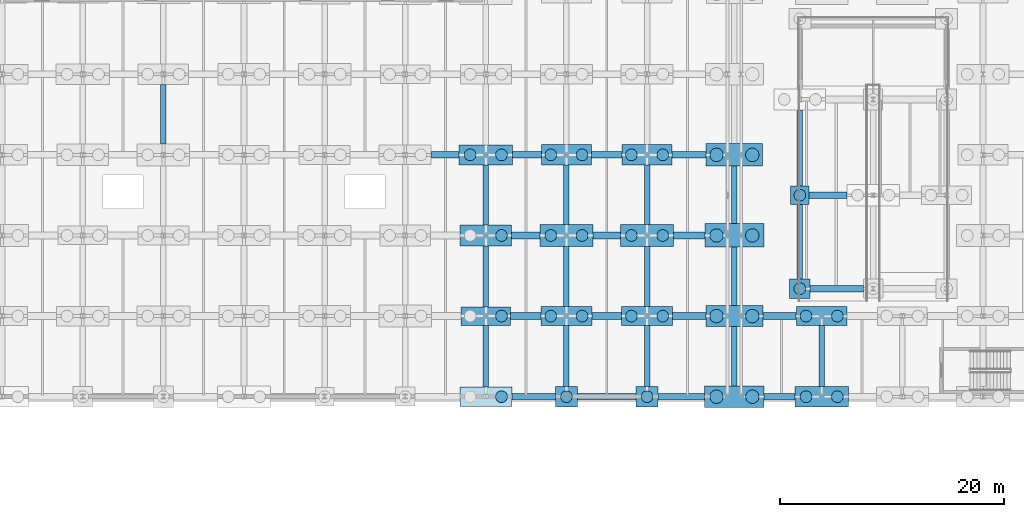
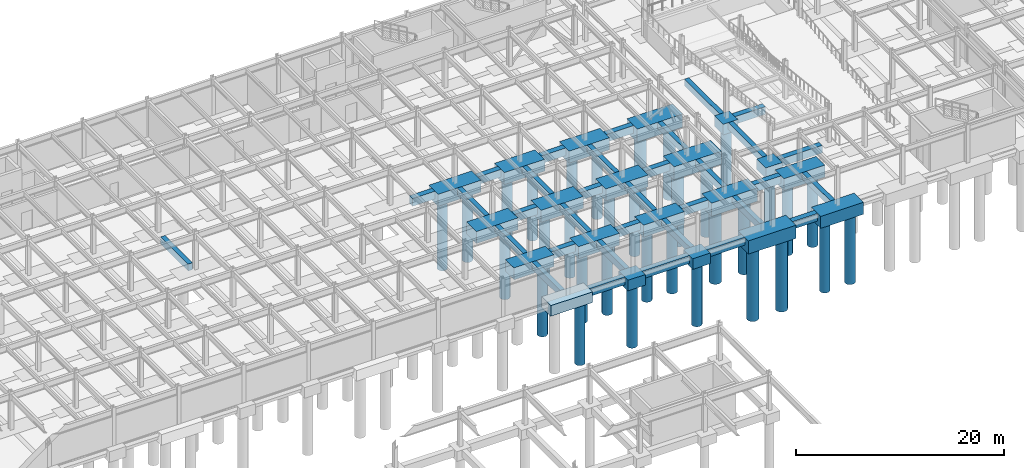
# One storey, part 6 of 54: 53 footings, 33 piles.
"""IFC4 building model written with IfcOpenShell, lengths in metres."""

from ifc_helpers import new_model, si_unit, direction, frame, origin, origin_2d, place, context, subcontext, project, spatial, polyline, rectangle, circle, outline, extrude, material, material_profile, profile_set, type_object, element, save


model = new_model("IFC4")

# Units and contexts
model_context = context("Model", 3, precision=1e-05, world=origin(), true_north=direction((0.0, 1.0)))
body_context = subcontext(model_context, "Body", "Model", "MODEL_VIEW")
ifc_project = project(units=[si_unit("LENGTHUNIT", "METRE"), si_unit("AREAUNIT", "SQUARE_METRE"), si_unit("VOLUMEUNIT", "CUBIC_METRE"), si_unit("PLANEANGLEUNIT", "RADIAN"), si_unit("MASSUNIT", "GRAM", prefix="KILO")], contexts=[model_context])

# Site, building, storey
site_placement = place(None, origin())
site = spatial("IfcSite", under=ifc_project, at=site_placement, CompositionType="ELEMENT")
building_placement = place(site_placement, origin())
building = spatial("IfcBuilding", under=site, at=building_placement, Name="Vaelcorin Mobility Hub", CompositionType="ELEMENT")
storey_placement = place(building_placement, frame((0.0, 0.0, -4.5)))
storey = spatial("IfcBuildingStorey", under=building, at=storey_placement, Name="B1", CompositionType="ELEMENT", Elevation=-4.5)

# Footings
ifc_material = material(Name="Concrete f'c 40 MPa", Category="concrete")
footing_type_1 = type_object("IfcFootingType", Name="FB-500X800", PredefinedType="FOOTING_BEAM", material=ifc_material)
footing_1_placement = place(storey_placement, frame((0.0, 0.0, -0.800048828125)))
element("IfcFooting", 1, at=footing_1_placement, inside=storey, type_object=footing_type_1, Name="Foundation Tie Beam FB-Y-312", PredefinedType="FOOTING_BEAM", context=body_context, shape_type="SweptSolid", body=[
    extrude(outline(polyline([(71.75, 99.375), (72.25, 99.375), (72.25, 104.675048828125), (71.75, 104.675048828125), (71.75, 99.375)])), origin(), (0.0, 0.0, 1.0), 0.800048828125),
])
footing_2_placement = place(storey_placement, frame((0.0, 0.0, -0.800048828125)))
element("IfcFooting", 2, at=footing_2_placement, inside=storey, type_object=footing_type_1, Name="Foundation Tie Beam FB-Y-337", PredefinedType="FOOTING_BEAM", context=body_context, shape_type="SweptSolid", body=[
    extrude(outline(polyline([(100.550048828125, 77.675048828125), (101.050048828125, 77.675048828125), (101.050048828125, 83.175048828125), (100.550048828125, 83.175048828125), (100.550048828125, 77.675048828125)])), origin(), (0.0, 0.0, 1.0), 0.800048828125),
])
footing_3_placement = place(storey_placement, frame((0.0, 0.0, -0.800048828125)))
element("IfcFooting", 3, at=footing_3_placement, inside=storey, type_object=footing_type_1, Name="Foundation Tie Beam FB-Y-338", PredefinedType="FOOTING_BEAM", context=body_context, shape_type="SweptSolid", body=[
    extrude(outline(polyline([(100.550048828125, 84.824951171875), (101.050048828125, 84.824951171875), (101.050048828125, 90.25), (100.550048828125, 90.25), (100.550048828125, 84.824951171875)])), origin(), (0.0, 0.0, 1.0), 0.800048828125),
])
footing_4_placement = place(storey_placement, frame((0.0, 0.0, -0.800048828125)))
element("IfcFooting", 4, at=footing_4_placement, inside=storey, type_object=footing_type_1, Name="Foundation Tie Beam FB-Y-339", PredefinedType="FOOTING_BEAM", context=body_context, shape_type="SweptSolid", body=[
    extrude(outline(polyline([(100.550048828125, 92.14990234375), (101.050048828125, 92.14990234375), (101.050048828125, 97.5), (100.550048828125, 97.5), (100.550048828125, 92.14990234375)])), origin(), (0.0, 0.0, 1.0), 0.800048828125),
])
footing_5_placement = place(storey_placement, frame((0.0, 0.0, -0.800048828125)))
element("IfcFooting", 5, at=footing_5_placement, inside=storey, type_object=footing_type_1, Name="Foundation Tie Beam FB-Y-344", PredefinedType="FOOTING_BEAM", context=body_context, shape_type="SweptSolid", body=[
    extrude(outline(polyline([(107.75, 77.699951171875), (108.25, 77.699951171875), (108.25, 83.14990234375), (107.75, 83.14990234375), (107.75, 77.699951171875)])), origin(), (0.0, 0.0, 1.0), 0.800048828125),
])
footing_6_placement = place(storey_placement, frame((0.0, 0.0, -0.800048828125)))
element("IfcFooting", 6, at=footing_6_placement, inside=storey, type_object=footing_type_1, Name="Foundation Tie Beam FB-Y-345", PredefinedType="FOOTING_BEAM", context=body_context, shape_type="SweptSolid", body=[
    extrude(outline(polyline([(107.75, 84.85009765625), (108.25, 84.85009765625), (108.25, 90.22509765625), (107.75, 90.22509765625), (107.75, 84.85009765625)])), origin(), (0.0, 0.0, 1.0), 0.800048828125),
])
footing_7_placement = place(storey_placement, frame((0.0, 0.0, -0.800048828125)))
element("IfcFooting", 7, at=footing_7_placement, inside=storey, type_object=footing_type_1, Name="Foundation Tie Beam FB-Y-346", PredefinedType="FOOTING_BEAM", context=body_context, shape_type="SweptSolid", body=[
    extrude(outline(polyline([(107.75, 92.175048828125), (108.25, 92.175048828125), (108.25, 97.47509765625), (107.75, 97.47509765625), (107.75, 92.175048828125)])), origin(), (0.0, 0.0, 1.0), 0.800048828125),
])
footing_8_placement = place(storey_placement, frame((0.0, 0.0, -0.800048828125)))
element("IfcFooting", 8, at=footing_8_placement, inside=storey, type_object=footing_type_1, Name="Foundation Tie Beam FB-Y-350", PredefinedType="FOOTING_BEAM", context=body_context, shape_type="SweptSolid", body=[
    extrude(outline(polyline([(114.949951171875, 77.699951171875), (115.449951171875, 77.699951171875), (115.449951171875, 83.14990234375), (114.949951171875, 83.14990234375), (114.949951171875, 77.699951171875)])), origin(), (0.0, 0.0, 1.0), 0.800048828125),
])
footing_9_placement = place(storey_placement, frame((0.0, 0.0, -0.800048828125)))
element("IfcFooting", 9, at=footing_9_placement, inside=storey, type_object=footing_type_1, Name="Foundation Tie Beam FB-Y-351", PredefinedType="FOOTING_BEAM", context=body_context, shape_type="SweptSolid", body=[
    extrude(outline(polyline([(114.949951171875, 84.85009765625), (115.449951171875, 84.85009765625), (115.449951171875, 90.22509765625), (114.949951171875, 90.22509765625), (114.949951171875, 84.85009765625)])), origin(), (0.0, 0.0, 1.0), 0.800048828125),
])
footing_10_placement = place(storey_placement, frame((0.0, 0.0, -0.800048828125)))
element("IfcFooting", 10, at=footing_10_placement, inside=storey, type_object=footing_type_1, Name="Foundation Tie Beam FB-Y-352", PredefinedType="FOOTING_BEAM", context=body_context, shape_type="SweptSolid", body=[
    extrude(outline(polyline([(114.949951171875, 92.175048828125), (115.449951171875, 92.175048828125), (115.449951171875, 97.47509765625), (114.949951171875, 97.47509765625), (114.949951171875, 92.175048828125)])), origin(), (0.0, 0.0, 1.0), 0.800048828125),
])
footing_11_placement = place(storey_placement, frame((0.0, 0.0, -0.800048828125)))
element("IfcFooting", 11, at=footing_11_placement, inside=storey, type_object=footing_type_1, Name="Foundation Tie Beam FB-Y-356", PredefinedType="FOOTING_BEAM", context=body_context, shape_type="SweptSolid", body=[
    extrude(outline(polyline([(122.75, 77.77490234375), (123.25, 77.77490234375), (123.25, 83.074951171875), (122.75, 83.074951171875), (122.75, 77.77490234375)])), origin(), (0.0, 0.0, 1.0), 0.800048828125),
])
footing_12_placement = place(storey_placement, frame((0.0, 0.0, -0.800048828125)))
element("IfcFooting", 12, at=footing_12_placement, inside=storey, type_object=footing_type_1, Name="Foundation Tie Beam FB-Y-357", PredefinedType="FOOTING_BEAM", context=body_context, shape_type="SweptSolid", body=[
    extrude(outline(polyline([(122.75, 84.925048828125), (123.25, 84.925048828125), (123.25, 90.14990234375), (122.75, 90.14990234375), (122.75, 84.925048828125)])), origin(), (0.0, 0.0, 1.0), 0.800048828125),
])
footing_13_placement = place(storey_placement, frame((0.0, 0.0, -0.800048828125)))
element("IfcFooting", 13, at=footing_13_placement, inside=storey, type_object=footing_type_1, Name="Foundation Tie Beam FB-Y-358", PredefinedType="FOOTING_BEAM", context=body_context, shape_type="SweptSolid", body=[
    extrude(outline(polyline([(122.75, 92.25), (123.25, 92.25), (123.25, 97.39990234375), (122.75, 97.39990234375), (122.75, 92.25)])), origin(), (0.0, 0.0, 1.0), 0.800048828125),
])
footing_14_placement = place(storey_placement, frame((0.0, 0.0, -0.800048828125)))
element("IfcFooting", 14, at=footing_14_placement, inside=storey, type_object=footing_type_1, Name="Foundation Tie Beam FB-Y-362", PredefinedType="FOOTING_BEAM", context=body_context, shape_type="SweptSolid", body=[
    extrude(outline(polyline([(130.550048828125, 77.699951171875), (131.050048828125, 77.699951171875), (131.050048828125, 83.14990234375), (130.550048828125, 83.14990234375), (130.550048828125, 77.699951171875)])), origin(), (0.0, 0.0, 1.0), 0.800048828125),
])
footing_15_placement = place(storey_placement, frame((0.0, 0.0, -0.800048828125)))
element("IfcFooting", 15, at=footing_15_placement, inside=storey, type_object=footing_type_1, Name="Foundation Tie Beam FB-Y-481", PredefinedType="FOOTING_BEAM", context=body_context, shape_type="SweptSolid", body=[
    extrude(outline(polyline([(128.60009765625, 87.324951171875), (129.10009765625, 87.324951171875), (129.10009765625, 93.97509765625), (128.60009765625, 93.97509765625), (128.60009765625, 87.324951171875)])), origin(), (0.0, 0.0, 1.0), 0.800048828125),
])
footing_16_placement = place(storey_placement, frame((0.0, 0.0, -0.800048828125)))
element("IfcFooting", 16, at=footing_16_placement, inside=storey, type_object=footing_type_1, Name="Foundation Tie Beam FB-Y-482", PredefinedType="FOOTING_BEAM", context=body_context, shape_type="SweptSolid", body=[
    extrude(outline(polyline([(128.60009765625, 95.625), (129.10009765625, 95.625), (129.10009765625, 102.39990234375), (128.60009765625, 102.39990234375), (128.60009765625, 95.625)])), origin(), (0.0, 0.0, 1.0), 0.800048828125),
])
footing_type_2 = type_object("IfcFootingType", Name="FB-600X900", PredefinedType="FOOTING_BEAM", material=ifc_material)
footing_17_placement = place(storey_placement, frame((0.0, 0.0, -0.89990234375)))
element("IfcFooting", 17, at=footing_17_placement, inside=storey, type_object=footing_type_2, Name="Foundation Tie Beam FB-X-014", PredefinedType="FOOTING_BEAM", context=body_context, shape_type="SweptSolid", body=[
    extrude(outline(polyline([(103.125, 76.5), (107.02490234375, 76.5), (107.02490234375, 77.10009765625), (103.125, 77.10009765625), (103.125, 76.5)])), origin(), (0.0, 0.0, 1.0), 0.89990234375),
])
footing_18_placement = place(storey_placement, frame((0.0, 0.0, -0.89990234375)))
element("IfcFooting", 18, at=footing_18_placement, inside=storey, type_object=footing_type_2, Name="Foundation Tie Beam FB-X-015", PredefinedType="FOOTING_BEAM", context=body_context, shape_type="SweptSolid", body=[
    extrude(outline(polyline([(108.97509765625, 76.5), (114.22509765625, 76.5), (114.22509765625, 77.10009765625), (108.97509765625, 77.10009765625), (108.97509765625, 76.5)])), origin(), (0.0, 0.0, 1.0), 0.89990234375),
])
footing_19_placement = place(storey_placement, frame((0.0, 0.0, -0.89990234375)))
element("IfcFooting", 19, at=footing_19_placement, inside=storey, type_object=footing_type_2, Name="Foundation Tie Beam FB-X-016", PredefinedType="FOOTING_BEAM", context=body_context, shape_type="SweptSolid", body=[
    extrude(outline(polyline([(116.175048828125, 76.5), (120.35009765625, 76.5), (120.35009765625, 77.10009765625), (116.175048828125, 77.10009765625), (116.175048828125, 76.5)])), origin(), (0.0, 0.0, 1.0), 0.89990234375),
])
footing_20_placement = place(storey_placement, frame((0.0, 0.0, -0.89990234375)))
element("IfcFooting", 20, at=footing_20_placement, inside=storey, type_object=footing_type_2, Name="Foundation Tie Beam FB-X-017", PredefinedType="FOOTING_BEAM", context=body_context, shape_type="SweptSolid", body=[
    extrude(outline(polyline([(125.64990234375, 76.5), (128.425048828125, 76.5), (128.425048828125, 77.10009765625), (125.64990234375, 77.10009765625), (125.64990234375, 76.5)])), origin(), (0.0, 0.0, 1.0), 0.89990234375),
])
footing_21_placement = place(storey_placement, frame((0.0, 0.0, -0.89990234375)))
element("IfcFooting", 21, at=footing_21_placement, inside=storey, type_object=footing_type_2, Name="Foundation Tie Beam FB-X-041", PredefinedType="FOOTING_BEAM", context=body_context, shape_type="SweptSolid", body=[
    extrude(outline(polyline([(103.02490234375, 83.699951171875), (105.72509765625, 83.699951171875), (105.72509765625, 84.300048828125), (103.02490234375, 84.300048828125), (103.02490234375, 83.699951171875)])), origin(), (0.0, 0.0, 1.0), 0.89990234375),
])
footing_22_placement = place(storey_placement, frame((0.0, 0.0, -0.89990234375)))
element("IfcFooting", 22, at=footing_22_placement, inside=storey, type_object=footing_type_2, Name="Foundation Tie Beam FB-X-042", PredefinedType="FOOTING_BEAM", context=body_context, shape_type="SweptSolid", body=[
    extrude(outline(polyline([(110.27490234375, 83.699951171875), (112.925048828125, 83.699951171875), (112.925048828125, 84.300048828125), (110.27490234375, 84.300048828125), (110.27490234375, 83.699951171875)])), origin(), (0.0, 0.0, 1.0), 0.89990234375),
])
footing_23_placement = place(storey_placement, frame((0.0, 0.0, -0.89990234375)))
element("IfcFooting", 23, at=footing_23_placement, inside=storey, type_object=footing_type_2, Name="Foundation Tie Beam FB-X-043", PredefinedType="FOOTING_BEAM", context=body_context, shape_type="SweptSolid", body=[
    extrude(outline(polyline([(117.47509765625, 83.699951171875), (120.449951171875, 83.699951171875), (120.449951171875, 84.300048828125), (117.47509765625, 84.300048828125), (117.47509765625, 83.699951171875)])), origin(), (0.0, 0.0, 1.0), 0.89990234375),
])
footing_24_placement = place(storey_placement, frame((0.0, 0.0, -0.89990234375)))
element("IfcFooting", 24, at=footing_24_placement, inside=storey, type_object=footing_type_2, Name="Foundation Tie Beam FB-X-044", PredefinedType="FOOTING_BEAM", context=body_context, shape_type="SweptSolid", body=[
    extrude(outline(polyline([(125.550048828125, 83.699951171875), (128.52490234375, 83.699951171875), (128.52490234375, 84.300048828125), (125.550048828125, 84.300048828125), (125.550048828125, 83.699951171875)])), origin(), (0.0, 0.0, 1.0), 0.89990234375),
])
footing_25_placement = place(storey_placement, frame((0.0, 0.0, -0.89990234375)))
element("IfcFooting", 25, at=footing_25_placement, inside=storey, type_object=footing_type_2, Name="Foundation Tie Beam FB-X-065", PredefinedType="FOOTING_BEAM", context=body_context, shape_type="SweptSolid", body=[
    extrude(outline(polyline([(103.10009765625, 90.89990234375), (105.64990234375, 90.89990234375), (105.64990234375, 91.5), (103.10009765625, 91.5), (103.10009765625, 90.89990234375)])), origin(), (0.0, 0.0, 1.0), 0.89990234375),
])
footing_26_placement = place(storey_placement, frame((0.0, 0.0, -0.89990234375)))
element("IfcFooting", 26, at=footing_26_placement, inside=storey, type_object=footing_type_2, Name="Foundation Tie Beam FB-X-066", PredefinedType="FOOTING_BEAM", context=body_context, shape_type="SweptSolid", body=[
    extrude(outline(polyline([(110.35009765625, 90.89990234375), (112.85009765625, 90.89990234375), (112.85009765625, 91.5), (110.35009765625, 91.5), (110.35009765625, 90.89990234375)])), origin(), (0.0, 0.0, 1.0), 0.89990234375),
])
footing_27_placement = place(storey_placement, frame((0.0, 0.0, -0.89990234375)))
element("IfcFooting", 27, at=footing_27_placement, inside=storey, type_object=footing_type_2, Name="Foundation Tie Beam FB-X-067", PredefinedType="FOOTING_BEAM", context=body_context, shape_type="SweptSolid", body=[
    extrude(outline(polyline([(117.550048828125, 90.89990234375), (120.375, 90.89990234375), (120.375, 91.5), (117.550048828125, 91.5), (117.550048828125, 90.89990234375)])), origin(), (0.0, 0.0, 1.0), 0.89990234375),
])
footing_28_placement = place(storey_placement, frame((0.0, 0.0, -0.89990234375)))
element("IfcFooting", 28, at=footing_28_placement, inside=storey, type_object=footing_type_2, Name="Foundation Tie Beam FB-X-085", PredefinedType="FOOTING_BEAM", context=body_context, shape_type="SweptSolid", body=[
    extrude(outline(polyline([(95.925048828125, 98.10009765625), (98.425048828125, 98.10009765625), (98.425048828125, 98.699951171875), (95.925048828125, 98.699951171875), (95.925048828125, 98.10009765625)])), origin(), (0.0, 0.0, 1.0), 0.89990234375),
])
footing_29_placement = place(storey_placement, frame((0.0, 0.0, -0.89990234375)))
element("IfcFooting", 29, at=footing_29_placement, inside=storey, type_object=footing_type_2, Name="Foundation Tie Beam FB-X-086", PredefinedType="FOOTING_BEAM", context=body_context, shape_type="SweptSolid", body=[
    extrude(outline(polyline([(103.175048828125, 98.10009765625), (105.75, 98.10009765625), (105.75, 98.699951171875), (103.175048828125, 98.699951171875), (103.175048828125, 98.10009765625)])), origin(), (0.0, 0.0, 1.0), 0.89990234375),
])
footing_30_placement = place(storey_placement, frame((0.0, 0.0, -0.89990234375)))
element("IfcFooting", 30, at=footing_30_placement, inside=storey, type_object=footing_type_2, Name="Foundation Tie Beam FB-X-087", PredefinedType="FOOTING_BEAM", context=body_context, shape_type="SweptSolid", body=[
    extrude(outline(polyline([(110.25, 98.10009765625), (112.949951171875, 98.10009765625), (112.949951171875, 98.699951171875), (110.25, 98.699951171875), (110.25, 98.10009765625)])), origin(), (0.0, 0.0, 1.0), 0.89990234375),
])
footing_31_placement = place(storey_placement, frame((0.0, 0.0, -0.89990234375)))
element("IfcFooting", 31, at=footing_31_placement, inside=storey, type_object=footing_type_2, Name="Foundation Tie Beam FB-X-088", PredefinedType="FOOTING_BEAM", context=body_context, shape_type="SweptSolid", body=[
    extrude(outline(polyline([(117.449951171875, 98.10009765625), (120.47509765625, 98.10009765625), (120.47509765625, 98.699951171875), (117.449951171875, 98.699951171875), (117.449951171875, 98.10009765625)])), origin(), (0.0, 0.0, 1.0), 0.89990234375),
])
footing_32_placement = place(storey_placement, frame((0.0, 0.0, -0.89990234375)))
element("IfcFooting", 32, at=footing_32_placement, inside=storey, type_object=footing_type_2, Name="Foundation Tie Beam FB-X-252", PredefinedType="FOOTING_BEAM", context=body_context, shape_type="SweptSolid", body=[
    extrude(outline(polyline([(129.77490234375, 86.14990234375), (134.52490234375, 86.14990234375), (134.52490234375, 86.75), (129.77490234375, 86.75), (129.77490234375, 86.14990234375)])), origin(), (0.0, 0.0, 1.0), 0.89990234375),
])
footing_33_placement = place(storey_placement, frame((0.0, 0.0, -0.89990234375)))
element("IfcFooting", 33, at=footing_33_placement, inside=storey, type_object=footing_type_2, Name="Foundation Tie Beam FB-X-256", PredefinedType="FOOTING_BEAM", context=body_context, shape_type="SweptSolid", body=[
    extrude(outline(polyline([(129.675048828125, 94.5), (133.050048828125, 94.5), (133.050048828125, 95.10009765625), (129.675048828125, 95.10009765625), (129.675048828125, 94.5)])), origin(), (0.0, 0.0, 1.0), 0.89990234375),
])
footing_type_3 = type_object("IfcFootingType", Name="FTG-PC-01", PredefinedType="PILE_CAP", material=ifc_material)
footing_34_placement = place(storey_placement, frame((100.800048828125, 91.199951171875, -1.39990234375), z_axis=(0.0, 0.0, 1.0), x_axis=(1.0, 0.0, 0.0)))
element("IfcFooting", 34, at=footing_34_placement, inside=storey, type_object=footing_type_3, Name="Pile Cap PC-01 113", PredefinedType="PILE_CAP", context=body_context, shape_type="SweptSolid", body=[
    extrude(rectangle(XDim=4.60009765625, YDim=1.89990234375, at=origin_2d()), origin(), (0.0, 0.0, 1.0), 1.39990234375),
])
footing_type_4 = type_object("IfcFootingType", Name="FTG-PC-02", PredefinedType="PILE_CAP", material=ifc_material)
for number, where, z_axis, x_axis, name in (
    (35, (100.800048828125, 98.39990234375, -1.39990234375), (0.0, 0.0, 1.0), (1.0, 0.0, 0.0), "Pile Cap PC-02 114"),
    (36, (130.800048828125, 76.800048828125, -1.39990234375), (0.0, 0.0, 1.0), (1.0, 0.0, 0.0), "Pile Cap PC-02 142"),
):
    element("IfcFooting", number, at=place(storey_placement, frame(where, z_axis=z_axis, x_axis=x_axis)), inside=storey, type_object=footing_type_4, Name=name, PredefinedType="PILE_CAP", context=body_context, shape_type="SweptSolid", body=[
        extrude(rectangle(XDim=4.75, YDim=1.800048828125, at=origin_2d()), origin(), (0.0, 0.0, 1.0), 1.39990234375),
    ])
footing_type_5 = type_object("IfcFootingType", Name="FTG-PC-03", PredefinedType="PILE_CAP", material=ifc_material)
for number, where, z_axis, x_axis, name in (
    (37, (108.0, 84.0, -1.39990234375), (0.0, 0.0, 1.0), (1.0, 0.0, 0.0), "Pile Cap PC-03 122"),
    (38, (115.199951171875, 84.0, -1.39990234375), (0.0, 0.0, 1.0), (1.0, 0.0, 0.0), "Pile Cap PC-03 129"),
    (39, (130.800048828125, 84.0, -1.39990234375), (0.0, 0.0, 1.0), (1.0, 0.0, 0.0), "Pile Cap PC-03 143"),
):
    element("IfcFooting", number, at=place(storey_placement, frame(where, z_axis=z_axis, x_axis=x_axis)), inside=storey, type_object=footing_type_5, Name=name, PredefinedType="PILE_CAP", context=body_context, shape_type="SweptSolid", body=[
        extrude(rectangle(XDim=4.550048828125, YDim=1.699951171875, at=origin_2d()), origin(), (0.0, 0.0, 1.0), 1.39990234375),
    ])
footing_type_6 = type_object("IfcFootingType", Name="FTG-PC-04", PredefinedType="PILE_CAP", material=ifc_material)
for number, where, z_axis, x_axis, name in (
    (40, (108.0, 91.199951171875, -1.39990234375), (0.0, 0.0, 1.0), (1.0, 0.0, 0.0), "Pile Cap PC-04 123"),
    (41, (115.199951171875, 91.199951171875, -1.39990234375), (0.0, 0.0, 1.0), (1.0, 0.0, 0.0), "Pile Cap PC-04 130"),
):
    element("IfcFooting", number, at=place(storey_placement, frame(where, z_axis=z_axis, x_axis=x_axis)), inside=storey, type_object=footing_type_6, Name=name, PredefinedType="PILE_CAP", context=body_context, shape_type="SweptSolid", body=[
        extrude(rectangle(XDim=4.699951171875, YDim=1.949951171875, at=origin_2d()), origin(), (0.0, 0.0, 1.0), 1.39990234375),
    ])
footing_type_7 = type_object("IfcFootingType", Name="FTG-PC-05", PredefinedType="PILE_CAP", material=ifc_material)
for number, where, z_axis, x_axis, name in (
    (42, (108.0, 98.39990234375, -1.39990234375), (0.0, 0.0, 1.0), (1.0, 0.0, 0.0), "Pile Cap PC-05 124"),
    (43, (115.199951171875, 98.39990234375, -1.39990234375), (0.0, 0.0, 1.0), (1.0, 0.0, 0.0), "Pile Cap PC-05 131"),
):
    element("IfcFooting", number, at=place(storey_placement, frame(where, z_axis=z_axis, x_axis=x_axis)), inside=storey, type_object=footing_type_7, Name=name, PredefinedType="PILE_CAP", context=body_context, shape_type="SweptSolid", body=[
        extrude(rectangle(XDim=4.5, YDim=1.85009765625, at=origin_2d()), origin(), (0.0, 0.0, 1.0), 1.39990234375),
    ])
footing_type_8 = type_object("IfcFootingType", Name="FTG-PC-07", PredefinedType="PILE_CAP", material=ifc_material)
footing_35_placement = place(storey_placement, frame((100.800048828125, 84.0, -1.39990234375), z_axis=(0.0, 0.0, 1.0), x_axis=(1.0, 0.0, 0.0)))
element("IfcFooting", 44, at=footing_35_placement, inside=storey, type_object=footing_type_8, Name="Pile Cap PC-07 112", PredefinedType="PILE_CAP", context=body_context, shape_type="SweptSolid", body=[
    extrude(rectangle(XDim=4.449951171875, YDim=1.64990234375, at=origin_2d()), origin(), (0.0, 0.0, 1.0), 1.39990234375),
])
footing_type_9 = type_object("IfcFootingType", Name="FTG-PC-23", PredefinedType="PILE_CAP", material=ifc_material)
footing_36_placement = place(storey_placement, frame((128.85009765625, 86.449951171875, -1.25), z_axis=(0.0, 0.0, 1.0), x_axis=(1.0, 0.0, 0.0)))
element("IfcFooting", 45, at=footing_36_placement, inside=storey, type_object=footing_type_9, Name="Pile Cap PC-23 286", PredefinedType="PILE_CAP", context=body_context, shape_type="SweptSolid", body=[
    extrude(rectangle(XDim=1.85009765625, YDim=1.75, at=origin_2d()), origin(), (0.0, 0.0, 1.0), 1.25),
])
footing_type_10 = type_object("IfcFootingType", Name="FTG-PC-28", PredefinedType="PILE_CAP", material=ifc_material)
footing_37_placement = place(storey_placement, frame((128.85009765625, 94.800048828125, -1.25), z_axis=(0.0, 0.0, 1.0), x_axis=(1.0, 0.0, 0.0)))
element("IfcFooting", 46, at=footing_37_placement, inside=storey, type_object=footing_type_10, Name="Pile Cap PC-28 287", PredefinedType="PILE_CAP", context=body_context, shape_type="SweptSolid", body=[
    extrude(rectangle(XDim=1.64990234375, YDim=1.64990234375, at=origin_2d()), origin(), (0.0, 0.0, 1.0), 1.25),
])
footing_type_11 = type_object("IfcFootingType", Name="FTG-PC-29", PredefinedType="PILE_CAP", material=ifc_material)
footing_38_placement = place(storey_placement, frame((100.800048828125, 76.800048828125, -1.25), z_axis=(0.0, 0.0, 1.0), x_axis=(1.0, 0.0, 0.0)))
element("IfcFooting", 47, at=footing_38_placement, inside=storey, type_object=footing_type_11, Name="Pile Cap PC-29 111", PredefinedType="PILE_CAP", context=body_context, shape_type="SweptSolid", body=[
    extrude(rectangle(XDim=4.64990234375, YDim=1.75, at=origin_2d()), origin(), (0.0, 0.0, 1.0), 1.25),
])
footing_type_12 = type_object("IfcFootingType", Name="FTG-PC-30", PredefinedType="PILE_CAP", material=ifc_material)
for number, where, z_axis, x_axis, name in (
    (48, (108.0, 76.800048828125, -1.25), (0.0, 0.0, 1.0), (1.0, 0.0, 0.0), "Pile Cap PC-30 121"),
    (49, (115.199951171875, 76.800048828125, -1.25), (0.0, 0.0, 1.0), (1.0, 0.0, 0.0), "Pile Cap PC-30 128"),
):
    element("IfcFooting", number, at=place(storey_placement, frame(where, z_axis=z_axis, x_axis=x_axis)), inside=storey, type_object=footing_type_12, Name=name, PredefinedType="PILE_CAP", context=body_context, shape_type="SweptSolid", body=[
        extrude(rectangle(XDim=1.949951171875, YDim=1.800048828125, at=origin_2d()), origin(), (0.0, 0.0, 1.0), 1.25),
    ])
footing_type_13 = type_object("IfcFootingType", Name="FTG-PC-COMB08", PredefinedType="PILE_CAP", material=ifc_material)
footing_39_placement = place(storey_placement, frame((123.0, 91.199951171875, -1.5498046875), z_axis=(0.0, 0.0, 1.0), x_axis=(1.0, 0.0, 0.0)))
element("IfcFooting", 50, at=footing_39_placement, inside=storey, type_object=footing_type_13, Name="Pile Cap PC-COMB08 137", PredefinedType="PILE_CAP", context=body_context, shape_type="SweptSolid", body=[
    extrude(rectangle(XDim=5.25, YDim=2.10009765625, at=origin_2d()), origin(), (0.0, 0.0, 1.0), 1.550048828125),
])
footing_type_14 = type_object("IfcFootingType", Name="FTG-PC-COMB09", PredefinedType="PILE_CAP", material=ifc_material)
footing_40_placement = place(storey_placement, frame((123.0, 98.39990234375, -1.5498046875), z_axis=(0.0, 0.0, 1.0), x_axis=(1.0, 0.0, 0.0)))
element("IfcFooting", 51, at=footing_40_placement, inside=storey, type_object=footing_type_14, Name="Pile Cap PC-COMB09 138", PredefinedType="PILE_CAP", context=body_context, shape_type="SweptSolid", body=[
    extrude(rectangle(XDim=5.050048828125, YDim=2.0, at=origin_2d()), origin(), (0.0, 0.0, 1.0), 1.550048828125),
])
footing_type_15 = type_object("IfcFootingType", Name="FTG-PC-COMB13", PredefinedType="PILE_CAP", material=ifc_material)
footing_41_placement = place(storey_placement, frame((123.0, 76.800048828125, -1.5498046875), z_axis=(0.0, 0.0, 1.0), x_axis=(1.0, 0.0, 0.0)))
element("IfcFooting", 52, at=footing_41_placement, inside=storey, type_object=footing_type_15, Name="Pile Cap PC-COMB13 135", PredefinedType="PILE_CAP", context=body_context, shape_type="SweptSolid", body=[
    extrude(rectangle(XDim=5.300048828125, YDim=1.949951171875, at=origin_2d()), origin(), (0.0, 0.0, 1.0), 1.550048828125),
])
footing_type_16 = type_object("IfcFootingType", Name="FTG-PC-COMB14", PredefinedType="PILE_CAP", material=ifc_material)
footing_42_placement = place(storey_placement, frame((123.0, 84.0, -1.5498046875), z_axis=(0.0, 0.0, 1.0), x_axis=(1.0, 0.0, 0.0)))
element("IfcFooting", 53, at=footing_42_placement, inside=storey, type_object=footing_type_16, Name="Pile Cap PC-COMB14 136", PredefinedType="PILE_CAP", context=body_context, shape_type="SweptSolid", body=[
    extrude(rectangle(XDim=5.10009765625, YDim=1.85009765625, at=origin_2d()), origin(), (0.0, 0.0, 1.0), 1.550048828125),
])

# Piles
ifc_material_profile_1 = material_profile(ifc_material, circle(Radius=0.52490234375, at=origin_2d()), Name="BP-D1050")
ifc_profile_set_1 = profile_set([ifc_material_profile_1], Name="Concrete f'c 40 MPa")
pile_type_1 = type_object("IfcPileType", Name="PILE-D1050", PredefinedType="BORED", material=ifc_profile_set_1)
pile_1_placement = place(storey_placement, frame((102.199951171875, 76.800048828125, -1.14990234375), z_axis=(0.0, 0.0, -1.0), x_axis=(1.0, 0.0, 0.0)))
element("IfcPile", 54, at=pile_1_placement, inside=storey, type_object=pile_type_1, Name="Bored Pile CAP-111-P2", PredefinedType="BORED", context=body_context, shape_type="SweptSolid", body=[
    extrude(circle(Radius=0.52490234375, at=origin_2d()), origin(), (0.0, 0.0, 1.0), 7.35009765625),
])
for number, where, z_axis, x_axis, name in (
    (55, (102.199951171875, 84.0, -1.300048828125), (0.0, 0.0, -1.0), (1.0, 0.0, 0.0), "Bored Pile CAP-112-P2"),
    (56, (102.199951171875, 91.199951171875, -1.300048828125), (0.0, 0.0, -1.0), (1.0, 0.0, 0.0), "Bored Pile CAP-113-P2"),
    (57, (99.39990234375, 98.39990234375, -1.300048828125), (0.0, 0.0, -1.0), (1.0, 0.0, 0.0), "Bored Pile CAP-114-P1"),
    (58, (102.199951171875, 98.39990234375, -1.300048828125), (0.0, 0.0, -1.0), (1.0, 0.0, 0.0), "Bored Pile CAP-114-P2"),
):
    element("IfcPile", number, at=place(storey_placement, frame(where, z_axis=z_axis, x_axis=x_axis)), inside=storey, type_object=pile_type_1, Name=name, PredefinedType="BORED", context=body_context, shape_type="SweptSolid", body=[
        extrude(circle(Radius=0.52490234375, at=origin_2d()), origin(), (0.0, 0.0, 1.0), 8.199951171875),
    ])
pile_2_placement = place(storey_placement, frame((108.0, 76.800048828125, -1.14990234375), z_axis=(0.0, 0.0, -1.0), x_axis=(1.0, 0.0, 0.0)))
element("IfcPile", 59, at=pile_2_placement, inside=storey, type_object=pile_type_1, Name="Bored Pile CAP-121-P1", PredefinedType="BORED", context=body_context, shape_type="SweptSolid", body=[
    extrude(circle(Radius=0.52490234375, at=origin_2d()), origin(), (0.0, 0.0, 1.0), 7.35009765625),
])
for number, where, z_axis, x_axis, name in (
    (60, (106.60009765625, 84.0, -1.300048828125), (0.0, 0.0, -1.0), (1.0, 0.0, 0.0), "Bored Pile CAP-122-P1"),
    (61, (109.39990234375, 84.0, -1.300048828125), (0.0, 0.0, -1.0), (1.0, 0.0, 0.0), "Bored Pile CAP-122-P2"),
    (62, (106.60009765625, 91.199951171875, -1.300048828125), (0.0, 0.0, -1.0), (1.0, 0.0, 0.0), "Bored Pile CAP-123-P1"),
    (63, (109.39990234375, 91.199951171875, -1.300048828125), (0.0, 0.0, -1.0), (1.0, 0.0, 0.0), "Bored Pile CAP-123-P2"),
    (64, (106.60009765625, 98.39990234375, -1.300048828125), (0.0, 0.0, -1.0), (1.0, 0.0, 0.0), "Bored Pile CAP-124-P1"),
    (65, (109.39990234375, 98.39990234375, -1.300048828125), (0.0, 0.0, -1.0), (1.0, 0.0, 0.0), "Bored Pile CAP-124-P2"),
):
    element("IfcPile", number, at=place(storey_placement, frame(where, z_axis=z_axis, x_axis=x_axis)), inside=storey, type_object=pile_type_1, Name=name, PredefinedType="BORED", context=body_context, shape_type="SweptSolid", body=[
        extrude(circle(Radius=0.52490234375, at=origin_2d()), origin(), (0.0, 0.0, 1.0), 8.199951171875),
    ])
pile_3_placement = place(storey_placement, frame((115.199951171875, 76.800048828125, -1.14990234375), z_axis=(0.0, 0.0, -1.0), x_axis=(1.0, 0.0, 0.0)))
element("IfcPile", 66, at=pile_3_placement, inside=storey, type_object=pile_type_1, Name="Bored Pile CAP-128-P1", PredefinedType="BORED", context=body_context, shape_type="SweptSolid", body=[
    extrude(circle(Radius=0.52490234375, at=origin_2d()), origin(), (0.0, 0.0, 1.0), 7.35009765625),
])
for number, where, z_axis, x_axis, name in (
    (67, (113.800048828125, 84.0, -1.300048828125), (0.0, 0.0, -1.0), (1.0, 0.0, 0.0), "Bored Pile CAP-129-P1"),
    (68, (116.60009765625, 84.0, -1.300048828125), (0.0, 0.0, -1.0), (1.0, 0.0, 0.0), "Bored Pile CAP-129-P2"),
    (69, (113.800048828125, 91.199951171875, -1.300048828125), (0.0, 0.0, -1.0), (1.0, 0.0, 0.0), "Bored Pile CAP-130-P1"),
    (70, (116.60009765625, 91.199951171875, -1.300048828125), (0.0, 0.0, -1.0), (1.0, 0.0, 0.0), "Bored Pile CAP-130-P2"),
    (71, (113.800048828125, 98.39990234375, -1.300048828125), (0.0, 0.0, -1.0), (1.0, 0.0, 0.0), "Bored Pile CAP-131-P1"),
    (72, (116.60009765625, 98.39990234375, -1.300048828125), (0.0, 0.0, -1.0), (1.0, 0.0, 0.0), "Bored Pile CAP-131-P2"),
    (73, (129.39990234375, 76.800048828125, -1.300048828125), (0.0, 0.0, -1.0), (1.0, 0.0, 0.0), "Bored Pile CAP-142-P1"),
    (74, (132.199951171875, 76.800048828125, -1.300048828125), (0.0, 0.0, -1.0), (1.0, 0.0, 0.0), "Bored Pile CAP-142-P2"),
    (75, (129.39990234375, 84.0, -1.300048828125), (0.0, 0.0, -1.0), (1.0, 0.0, 0.0), "Bored Pile CAP-143-P1"),
    (76, (132.199951171875, 84.0, -1.300048828125), (0.0, 0.0, -1.0), (1.0, 0.0, 0.0), "Bored Pile CAP-143-P2"),
):
    element("IfcPile", number, at=place(storey_placement, frame(where, z_axis=z_axis, x_axis=x_axis)), inside=storey, type_object=pile_type_1, Name=name, PredefinedType="BORED", context=body_context, shape_type="SweptSolid", body=[
        extrude(circle(Radius=0.52490234375, at=origin_2d()), origin(), (0.0, 0.0, 1.0), 8.199951171875),
    ])
for number, where, z_axis, x_axis, name in (
    (77, (128.85009765625, 86.449951171875, -1.14990234375), (0.0, 0.0, -1.0), (1.0, 0.0, 0.0), "Bored Pile CAP-286-P1"),
    (78, (128.85009765625, 94.800048828125, -1.14990234375), (0.0, 0.0, -1.0), (1.0, 0.0, 0.0), "Bored Pile CAP-287-P1"),
):
    element("IfcPile", number, at=place(storey_placement, frame(where, z_axis=z_axis, x_axis=x_axis)), inside=storey, type_object=pile_type_1, Name=name, PredefinedType="BORED", context=body_context, shape_type="SweptSolid", body=[
        extrude(circle(Radius=0.52490234375, at=origin_2d()), origin(), (0.0, 0.0, 1.0), 7.35009765625),
    ])
ifc_material_profile_2 = material_profile(ifc_material, circle(Radius=0.60009765625, at=origin_2d()), Name="BP-D1200")
ifc_profile_set_2 = profile_set([ifc_material_profile_2], Name="Concrete f'c 40 MPa")
pile_type_2 = type_object("IfcPileType", Name="PILE-D1200", PredefinedType="BORED", material=ifc_profile_set_2)
for number, where, z_axis, x_axis, name in (
    (79, (121.39990234375, 76.800048828125, -1.449951171875), (0.0, 0.0, -1.0), (1.0, 0.0, 0.0), "Bored Pile CAP-135-P1"),
    (80, (124.60009765625, 76.800048828125, -1.449951171875), (0.0, 0.0, -1.0), (1.0, 0.0, 0.0), "Bored Pile CAP-135-P2"),
    (81, (121.39990234375, 84.0, -1.449951171875), (0.0, 0.0, -1.0), (1.0, 0.0, 0.0), "Bored Pile CAP-136-P1"),
    (82, (124.60009765625, 84.0, -1.449951171875), (0.0, 0.0, -1.0), (1.0, 0.0, 0.0), "Bored Pile CAP-136-P2"),
    (83, (121.39990234375, 91.199951171875, -1.449951171875), (0.0, 0.0, -1.0), (1.0, 0.0, 0.0), "Bored Pile CAP-137-P1"),
    (84, (124.60009765625, 91.199951171875, -1.449951171875), (0.0, 0.0, -1.0), (1.0, 0.0, 0.0), "Bored Pile CAP-137-P2"),
    (85, (121.39990234375, 98.39990234375, -1.449951171875), (0.0, 0.0, -1.0), (1.0, 0.0, 0.0), "Bored Pile CAP-138-P1"),
    (86, (124.60009765625, 98.39990234375, -1.449951171875), (0.0, 0.0, -1.0), (1.0, 0.0, 0.0), "Bored Pile CAP-138-P2"),
):
    element("IfcPile", number, at=place(storey_placement, frame(where, z_axis=z_axis, x_axis=x_axis)), inside=storey, type_object=pile_type_2, Name=name, PredefinedType="BORED", context=body_context, shape_type="SweptSolid", body=[
        extrude(circle(Radius=0.60009765625, at=origin_2d()), origin(), (0.0, 0.0, 1.0), 8.550048828125),
    ])

save(model, "model.ifc")
